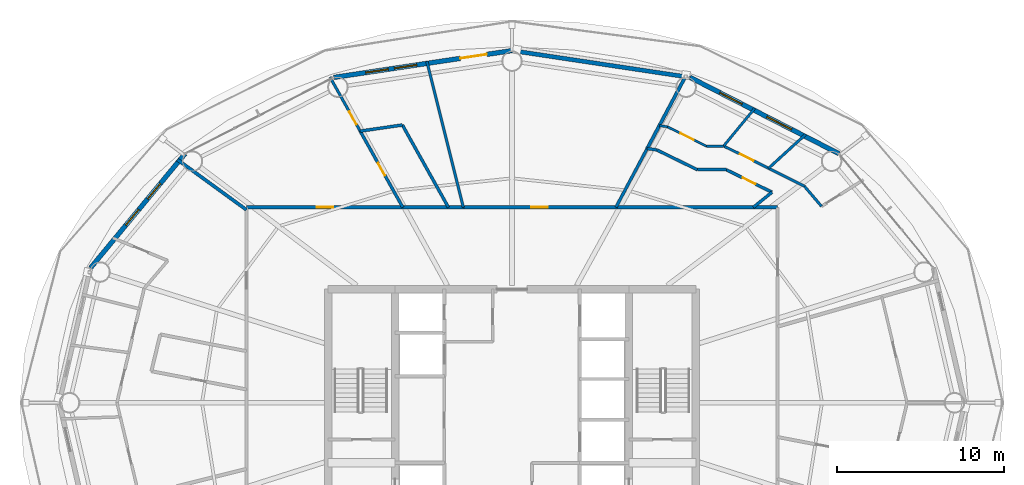
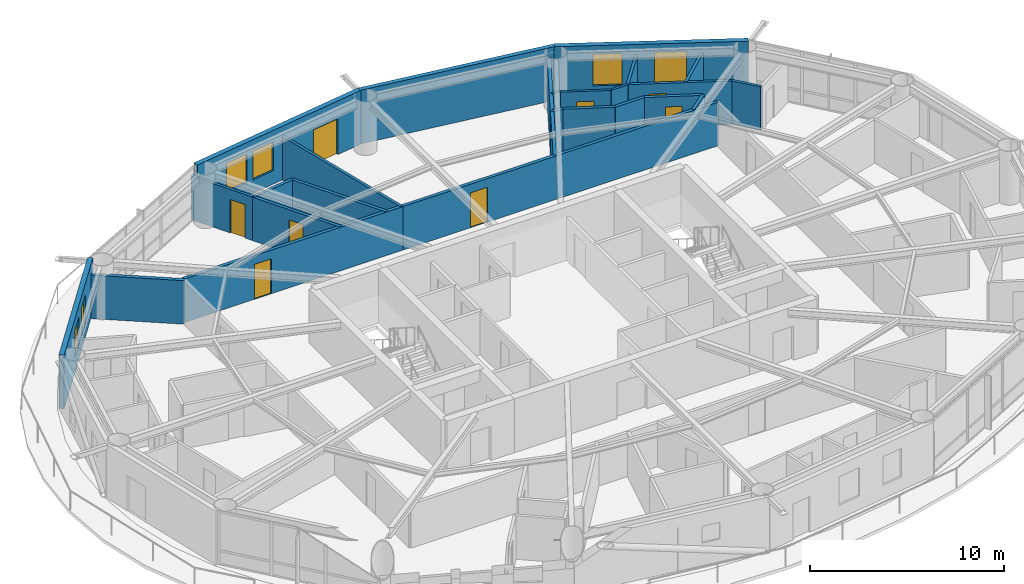
# One storey, part 23 of 27: 26 walls, 8 doors, 6 windows, 14 openings.
"""IFC4 building model written with IfcOpenShell, lengths in metres."""

from ifc_helpers import new_model, si_unit, direction, frame, frame_2d, origin, place, context, subcontext, project, spatial, rectangle, extrude, material, layer, layer_set, type_object, element, fill, save


model = new_model("IFC4")

# Units and contexts
model_context = context("Model", 3, precision=1e-05, world=origin(), true_north=direction((0.0, 1.0)))
body_context = subcontext(model_context, "Body", "Model", "MODEL_VIEW")
ifc_project = project(units=[si_unit("LENGTHUNIT", "METRE"), si_unit("AREAUNIT", "SQUARE_METRE"), si_unit("VOLUMEUNIT", "CUBIC_METRE"), si_unit("PLANEANGLEUNIT", "RADIAN"), si_unit("MASSUNIT", "GRAM", prefix="KILO")], contexts=[model_context])

# Site, building, storey
site_placement = place(None, origin())
site = spatial("IfcSite", under=ifc_project, at=site_placement, CompositionType="ELEMENT")
building_placement = place(site_placement, origin())
building = spatial("IfcBuilding", under=site, at=building_placement, Name="Sarneth Arch Tower", CompositionType="ELEMENT")
storey_placement = place(building_placement, frame((0.0, 0.0, 186.60009765625)))
storey = spatial("IfcBuildingStorey", under=building, at=storey_placement, Name="L47", CompositionType="ELEMENT", Elevation=186.60009765625)

# Wall, opening, door
ifc_material_1 = material(Name="Double steel-stud corridor fire wall", Category="steel")
ifc_layer_1 = layer(ifc_material_1, 0.18994140625)
ifc_layer_set_1 = layer_set([ifc_layer_1], Name="Double steel-stud corridor fire wall")
wall_type_1 = type_object("IfcWallType", Name="WALL-CORR-190", PredefinedType="PARTITIONING", material=ifc_layer_set_1)
wall_1_placement = place(storey_placement, frame((32.10009765625, 53.699951171875, 0.0), z_axis=(0.0, 0.0, 1.0), x_axis=(1.0, 0.0, 0.0)))
wall_1 = element("IfcWall", 1, at=wall_1_placement, inside=storey, type_object=wall_type_1, Name="L47 Interior partition W-L47-TP-006", PredefinedType="PARTITIONING", context=body_context, shape_type="SweptSolid", body=[
    extrude(rectangle(XDim=13.015869140625, YDim=0.18994140625, at=frame_2d((6.5078125, 0.0))), origin(), (0.0, 0.0, 1.0), 2.739990234375),
])
opening_1_placement = place(wall_1_placement, frame((4.198974609375, 0.0, 0.0)))
opening_1 = element("IfcOpeningElement", 2, at=opening_1_placement, cuts=wall_1, Name="Opening FD-08", PredefinedType="OPENING", context=body_context, shape_type="SweptSolid", body=[
    extrude(rectangle(XDim=1.0, YDim=2.199951171875, at=frame_2d((0.5, 1.10009765625))), frame((0.0, 0.10498046875, 0.0), z_axis=(0.0, -1.0, 0.0), x_axis=(1.0, 0.0, 0.0)), (0.0, 0.0, 1.0), 0.2099609375),
])
ifc_material_2 = material(Name="Hardwood timber acoustic fire door", Category="wood")
door_type_1 = type_object("IfcDoorType", Name="DR-FD60-1000", OperationType="SINGLE_SWING_LEFT", PredefinedType="DOOR", material=ifc_material_2)
door_1_placement = place(opening_1_placement, origin())
door_1 = element("IfcDoor", 3, at=door_1_placement, inside=storey, type_object=door_type_1, Name="L47 Interior door DR-L47-U3-ENT", OperationType="SINGLE_SWING_LEFT", OverallHeight=2.199951171875, OverallWidth=1.0, PredefinedType="DOOR", context=body_context, shape_type="SweptSolid", body=[
    extrude(rectangle(XDim=1.0, YDim=2.199951171875, at=frame_2d((0.5, 1.10009765625))), frame((0.0, 0.02490234375, 0.0), z_axis=(0.0, -1.0, 0.0), x_axis=(1.0, 0.0, 0.0)), (0.0, 0.0, 1.0), 0.050048828125),
])
fill(opening_1, door_1)

wall_2_placement = place(storey_placement, frame((45.0498046875, 53.699951171875, 0.0), z_axis=(0.0, 0.0, 1.0), x_axis=(1.0, 0.0, 0.0)))
wall_2 = element("IfcWall", 4, at=wall_2_placement, inside=storey, type_object=wall_type_1, Name="L47 Interior partition W-L47-TP-004", PredefinedType="PARTITIONING", context=body_context, shape_type="SweptSolid", body=[
    extrude(rectangle(XDim=18.85009765625, YDim=0.18994140625, at=frame_2d((9.425048828125, 0.0))), origin(), (0.0, 0.0, 1.0), 2.739990234375),
])
opening_2_placement = place(wall_2_placement, frame((4.103515625, 0.0, 0.0)))
opening_2 = element("IfcOpeningElement", 5, at=opening_2_placement, cuts=wall_2, Name="Opening FD-08", PredefinedType="OPENING", context=body_context, shape_type="SweptSolid", body=[
    extrude(rectangle(XDim=1.0, YDim=2.199951171875, at=frame_2d((0.5, 1.10009765625))), frame((0.0, 0.10498046875, 0.0), z_axis=(0.0, -1.0, 0.0), x_axis=(1.0, 0.0, 0.0)), (0.0, 0.0, 1.0), 0.2099609375),
])
door_2_placement = place(opening_2_placement, origin())
door_2 = element("IfcDoor", 6, at=door_2_placement, inside=storey, type_object=door_type_1, Name="L47 Interior door DR-L47-RAMN-02", OperationType="SINGLE_SWING_RIGHT", OverallHeight=2.199951171875, OverallWidth=1.0, PredefinedType="DOOR", context=body_context, shape_type="SweptSolid", body=[
    extrude(rectangle(XDim=1.0, YDim=2.199951171875, at=frame_2d((0.5, 1.10009765625))), frame((0.0, 0.02490234375, 0.0), z_axis=(0.0, -1.0, 0.0), x_axis=(1.0, 0.0, 0.0)), (0.0, 0.0, 1.0), 0.050048828125),
])
fill(opening_2, door_2)

# Wall
ifc_material_3 = material(Name="Extruded terracotta rainscreen on Concrete C40/50 backing", Category="masonry")
ifc_layer_2 = layer(ifc_material_3, 0.25)
ifc_layer_set_2 = layer_set([ifc_layer_2], Name="Extruded terracotta rainscreen on Concrete C40/50 backing")
wall_type_2 = type_object("IfcWallType", Name="WALL-EXT-SPAND-250", PredefinedType="SOLIDWALL", material=ifc_layer_set_2)
wall_3_placement = place(storey_placement, frame((58.662841796875, 61.475341796875, 0.0), z_axis=(0.0, 0.0, 1.0), x_axis=(-0.988863993413, 0.148822049884, 0.0)))
element("IfcWall", 7, at=wall_3_placement, inside=storey, type_object=wall_type_2, Name="L47 Terracotta perimeter wall 04", PredefinedType="SOLIDWALL", context=body_context, shape_type="SweptSolid", body=[
    extrude(rectangle(XDim=10.782958984375, YDim=0.25, at=frame_2d((5.3916015625, 0.0))), origin(), (0.0, 0.0, 1.0), 3.3798828125),
])

# Wall, openings, windows
ifc_material_4 = material(Name="Extruded terracotta rainscreen on Concrete C40/50 backing", Category="masonry")
ifc_layer_3 = layer(ifc_material_4, 0.280029296875)
ifc_layer_set_3 = layer_set([ifc_layer_3], Name="Extruded terracotta rainscreen on Concrete C40/50 backing")
wall_type_3 = type_object("IfcWallType", Name="WALL-EXT-TERRA-280", PredefinedType="SOLIDWALL", material=ifc_layer_set_3)
wall_4_placement = place(storey_placement, frame((67.576171875, 56.90576171875, 0.0), z_axis=(0.0, 0.0, 1.0), x_axis=(-0.889872523182, 0.456209263919, 0.0)))
wall_4 = element("IfcWall", 8, at=wall_4_placement, inside=storey, type_object=wall_type_3, Name="L47 Terracotta perimeter wall 03", PredefinedType="SOLIDWALL", context=body_context, shape_type="SweptSolid", body=[
    extrude(rectangle(XDim=10.016357421875, YDim=0.280029296875, at=frame_2d((5.00830078125, 0.0))), origin(), (0.0, 0.0, 1.0), 3.3798828125),
])
opening_3_placement = place(wall_4_placement, frame((3.19580078125, 0.0, 0.85009765625)))
opening_3 = element("IfcOpeningElement", 9, at=opening_3_placement, cuts=wall_4, Name="Opening W-05", PredefinedType="OPENING", context=body_context, shape_type="SweptSolid", body=[
    extrude(rectangle(XDim=1.64990234375, YDim=2.0, at=frame_2d((0.824951171875, 1.0))), frame((0.0, 0.14990234375, 0.0), z_axis=(0.0, -1.0, 0.0), x_axis=(1.0, 0.0, 0.0)), (0.0, 0.0, 1.0), 0.300048828125),
])
opening_4_placement = place(wall_4_placement, frame((6.523681640625, 0.0, 0.85009765625)))
opening_4 = element("IfcOpeningElement", 10, at=opening_4_placement, cuts=wall_4, Name="Opening W-06", PredefinedType="OPENING", context=body_context, shape_type="SweptSolid", body=[
    extrude(rectangle(XDim=1.5, YDim=2.0, at=frame_2d((0.75, 1.0))), frame((0.0, 0.14990234375, 0.0), z_axis=(0.0, -1.0, 0.0), x_axis=(1.0, 0.0, 0.0)), (0.0, 0.0, 1.0), 0.300048828125),
])
ifc_material_5 = material(Name="Thermally broken Aluminium 6063-T6 and low-e laminated IGU", Category="aluminium")
window_type_1 = type_object("IfcWindowType", Name="WIN-TWR-1500x2000", PartitioningType="SINGLE_PANEL", PredefinedType="WINDOW", material=ifc_material_5)
window_1_placement = place(opening_4_placement, origin())
window_1 = element("IfcWindow", 11, at=window_1_placement, inside=storey, type_object=window_type_1, Name="L47 Exterior window 03B", OverallHeight=2.0, OverallWidth=1.5, PartitioningType="SINGLE_PANEL", PredefinedType="WINDOW", context=body_context, shape_type="SweptSolid", body=[
    extrude(rectangle(XDim=1.5, YDim=2.0, at=frame_2d((0.75, 1.0))), frame((0.0, 0.030029296875, 0.0), z_axis=(0.0, -1.0, 0.0), x_axis=(1.0, 0.0, 0.0)), (0.0, 0.0, 1.0), 0.06005859375),
])
fill(opening_4, window_1)
ifc_material_6 = material(Name="Thermally broken Aluminium 6063-T6 and low-e laminated IGU", Category="aluminium")
window_type_2 = type_object("IfcWindowType", Name="WIN-TWR-1650x2000", PartitioningType="DOUBLE_PANEL_VERTICAL", PredefinedType="WINDOW", material=ifc_material_6)
window_2_placement = place(opening_3_placement, origin())
window_2 = element("IfcWindow", 12, at=window_2_placement, inside=storey, type_object=window_type_2, Name="L47 Exterior window 03A", OverallHeight=2.0, OverallWidth=1.64990234375, PartitioningType="SINGLE_PANEL", PredefinedType="WINDOW", context=body_context, shape_type="SweptSolid", body=[
    extrude(rectangle(XDim=1.64990234375, YDim=2.0, at=frame_2d((0.824951171875, 1.0))), frame((0.0, 0.030029296875, 0.0), z_axis=(0.0, -1.0, 0.0), x_axis=(1.0, 0.0, 0.0)), (0.0, 0.0, 1.0), 0.06005859375),
])
fill(opening_3, window_2)

# Wall, openings, door, windows
wall_5_placement = place(storey_placement, frame((48.0, 63.080078125, 0.0), z_axis=(0.0, 0.0, 1.0), x_axis=(-0.988863993413, -0.148822049884, 0.0)))
wall_5 = element("IfcWall", 13, at=wall_5_placement, inside=storey, type_object=wall_type_3, Name="L47 Terracotta perimeter wall 05", PredefinedType="SOLIDWALL", context=body_context, shape_type="SweptSolid", body=[
    extrude(rectangle(XDim=10.782958984375, YDim=0.280029296875, at=frame_2d((5.3916015625, 0.0))), origin(), (0.0, 0.0, 1.0), 3.3798828125),
])
opening_5_placement = place(wall_5_placement, frame((1.523681640625, 0.0, 0.0)))
opening_5 = element("IfcOpeningElement", 14, at=opening_5_placement, cuts=wall_5, Name="Opening BD-1", PredefinedType="OPENING", context=body_context, shape_type="SweptSolid", body=[
    extrude(rectangle(XDim=1.60009765625, YDim=2.25, at=frame_2d((0.800048828125, 1.125))), frame((0.0, 0.14990234375, 0.0), z_axis=(0.0, -1.0, 0.0), x_axis=(1.0, 0.0, 0.0)), (0.0, 0.0, 1.0), 0.300048828125),
])
opening_6_placement = place(wall_5_placement, frame((5.7666015625, 0.0, 0.85009765625)))
opening_6 = element("IfcOpeningElement", 15, at=opening_6_placement, cuts=wall_5, Name="Opening W-08", PredefinedType="OPENING", context=body_context, shape_type="SweptSolid", body=[
    extrude(rectangle(XDim=1.35009765625, YDim=1.800048828125, at=frame_2d((0.675048828125, 0.89990234375))), frame((0.0, 0.14990234375, 0.0), z_axis=(0.0, -1.0, 0.0), x_axis=(1.0, 0.0, 0.0)), (0.0, 0.0, 1.0), 0.300048828125),
])
opening_7_placement = place(wall_5_placement, frame((7.498779296875, 0.0, 0.85009765625)))
opening_7 = element("IfcOpeningElement", 16, at=opening_7_placement, cuts=wall_5, Name="Opening W-08", PredefinedType="OPENING", context=body_context, shape_type="SweptSolid", body=[
    extrude(rectangle(XDim=1.35009765625, YDim=1.800048828125, at=frame_2d((0.675048828125, 0.89990234375))), frame((0.0, 0.14990234375, 0.0), z_axis=(0.0, -1.0, 0.0), x_axis=(1.0, 0.0, 0.0)), (0.0, 0.0, 1.0), 0.300048828125),
])
ifc_material_7 = material(Name="Thermally broken Aluminium 6063-T6 and laminated safety glass", Category="aluminium")
door_type_2 = type_object("IfcDoorType", Name="DR-BALC-GLZ-1600", OperationType="DOUBLE_DOOR_SINGLE_SWING", PredefinedType="DOOR", material=ifc_material_7)
door_3_placement = place(opening_5_placement, origin())
door_3 = element("IfcDoor", 17, at=door_3_placement, inside=storey, type_object=door_type_2, Name="L47 Balcony glazed door 05", OperationType="DOUBLE_DOOR_SINGLE_SWING", OverallHeight=2.25, OverallWidth=1.60009765625, PredefinedType="DOOR", context=body_context, shape_type="SweptSolid", body=[
    extrude(rectangle(XDim=1.60009765625, YDim=2.25, at=frame_2d((0.800048828125, 1.125))), frame((0.0, 0.02490234375, 0.0), z_axis=(0.0, -1.0, 0.0), x_axis=(1.0, 0.0, 0.0)), (0.0, 0.0, 1.0), 0.050048828125),
])
fill(opening_5, door_3)
ifc_material_8 = material(Name="Thermally broken Aluminium 6063-T6 and low-e laminated IGU", Category="aluminium")
window_type_3 = type_object("IfcWindowType", Name="WIN-TWR-1350x1800", PartitioningType="SINGLE_PANEL", PredefinedType="WINDOW", material=ifc_material_8)
window_3_placement = place(opening_6_placement, origin())
window_3 = element("IfcWindow", 18, at=window_3_placement, inside=storey, type_object=window_type_3, Name="L47 Exterior window 05A", OverallHeight=1.800048828125, OverallWidth=1.35009765625, PartitioningType="SINGLE_PANEL", PredefinedType="WINDOW", context=body_context, shape_type="SweptSolid", body=[
    extrude(rectangle(XDim=1.35009765625, YDim=1.800048828125, at=frame_2d((0.675048828125, 0.89990234375))), frame((0.0, 0.030029296875, 0.0), z_axis=(0.0, -1.0, 0.0), x_axis=(1.0, 0.0, 0.0)), (0.0, 0.0, 1.0), 0.06005859375),
])
fill(opening_6, window_3)
window_4_placement = place(opening_7_placement, origin())
window_4 = element("IfcWindow", 19, at=window_4_placement, inside=storey, type_object=window_type_3, Name="L47 Exterior window 05B", OverallHeight=1.800048828125, OverallWidth=1.35009765625, PartitioningType="SINGLE_PANEL", PredefinedType="WINDOW", context=body_context, shape_type="SweptSolid", body=[
    extrude(rectangle(XDim=1.35009765625, YDim=1.800048828125, at=frame_2d((0.675048828125, 0.89990234375))), frame((0.0, 0.030029296875, 0.0), z_axis=(0.0, -1.0, 0.0), x_axis=(1.0, 0.0, 0.0)), (0.0, 0.0, 1.0), 0.06005859375),
])
fill(opening_7, window_4)

# Wall, openings, windows
wall_6_placement = place(storey_placement, frame((28.423828125, 56.90576171875, 0.0), z_axis=(0.0, 0.0, 1.0), x_axis=(-0.637333477683, -0.770588111915, 0.0)))
wall_6 = element("IfcWall", 20, at=wall_6_placement, inside=storey, type_object=wall_type_3, Name="L47 Terracotta perimeter wall 07", PredefinedType="SOLIDWALL", context=body_context, shape_type="SweptSolid", body=[
    extrude(rectangle(XDim=8.874755859375, YDim=0.280029296875, at=frame_2d((4.4375, 0.0))), origin(), (0.0, 0.0, 1.0), 3.3798828125),
])
opening_8_placement = place(wall_6_placement, frame((2.302490234375, 0.0, 0.85009765625)))
opening_8 = element("IfcOpeningElement", 21, at=opening_8_placement, cuts=wall_6, Name="Opening W-09", PredefinedType="OPENING", context=body_context, shape_type="SweptSolid", body=[
    extrude(rectangle(XDim=1.199951171875, YDim=1.800048828125, at=frame_2d((0.60009765625, 0.89990234375))), frame((0.0, 0.14990234375, 0.0), z_axis=(0.0, -1.0, 0.0), x_axis=(1.0, 0.0, 0.0)), (0.0, 0.0, 1.0), 0.300048828125),
])
opening_9_placement = place(wall_6_placement, frame((4.343505859375, 0.0, 0.85009765625)))
opening_9 = element("IfcOpeningElement", 22, at=opening_9_placement, cuts=wall_6, Name="Opening W-09", PredefinedType="OPENING", context=body_context, shape_type="SweptSolid", body=[
    extrude(rectangle(XDim=1.199951171875, YDim=1.800048828125, at=frame_2d((0.60009765625, 0.89990234375))), frame((0.0, 0.14990234375, 0.0), z_axis=(0.0, -1.0, 0.0), x_axis=(1.0, 0.0, 0.0)), (0.0, 0.0, 1.0), 0.300048828125),
])
ifc_material_9 = material(Name="Thermally broken Aluminium 6063-T6 and low-e laminated IGU", Category="aluminium")
window_type_4 = type_object("IfcWindowType", Name="WIN-TWR-1200x1800", PartitioningType="SINGLE_PANEL", PredefinedType="WINDOW", material=ifc_material_9)
window_5_placement = place(opening_8_placement, origin())
window_5 = element("IfcWindow", 23, at=window_5_placement, inside=storey, type_object=window_type_4, Name="L47 Exterior window 07A", OverallHeight=1.800048828125, OverallWidth=1.199951171875, PartitioningType="SINGLE_PANEL", PredefinedType="WINDOW", context=body_context, shape_type="SweptSolid", body=[
    extrude(rectangle(XDim=1.199951171875, YDim=1.800048828125, at=frame_2d((0.60009765625, 0.89990234375))), frame((0.0, 0.030029296875, 0.0), z_axis=(0.0, -1.0, 0.0), x_axis=(1.0, 0.0, 0.0)), (0.0, 0.0, 1.0), 0.06005859375),
])
fill(opening_8, window_5)
window_6_placement = place(opening_9_placement, origin())
window_6 = element("IfcWindow", 24, at=window_6_placement, inside=storey, type_object=window_type_4, Name="L47 Exterior window 07B", OverallHeight=1.800048828125, OverallWidth=1.199951171875, PartitioningType="SINGLE_PANEL", PredefinedType="WINDOW", context=body_context, shape_type="SweptSolid", body=[
    extrude(rectangle(XDim=1.199951171875, YDim=1.800048828125, at=frame_2d((0.60009765625, 0.89990234375))), frame((0.0, 0.030029296875, 0.0), z_axis=(0.0, -1.0, 0.0), x_axis=(1.0, 0.0, 0.0)), (0.0, 0.0, 1.0), 0.06005859375),
])
fill(opening_9, window_6)

# Wall, opening, door
ifc_material_10 = material(Name="Apartment internal stud partition", Category="gypsum")
ifc_layer_4 = layer(ifc_material_10, 0.139892578125)
ifc_layer_set_4 = layer_set([ifc_layer_4], Name="Apartment internal stud partition")
wall_type_4 = type_object("IfcWallType", Name="WALL-PART-140", PredefinedType="PARTITIONING", material=ifc_layer_set_4)
wall_7_placement = place(storey_placement, frame((59.651123046875, 57.35009765625, 0.0), z_axis=(0.0, 0.0, 1.0), x_axis=(-0.895041110332, 0.445983644112, 0.0)))
wall_7 = element("IfcWall", 25, at=wall_7_placement, inside=storey, type_object=wall_type_4, Name="L47 Interior partition W-L47-TP-032", PredefinedType="PARTITIONING", context=body_context, shape_type="SweptSolid", body=[
    extrude(rectangle(XDim=2.62109375, YDim=0.139892578125, at=frame_2d((1.310546875, 0.0))), origin(), (0.0, 0.0, 1.0), 2.739990234375),
])
opening_10_placement = place(wall_7_placement, frame((0.860595703125, 0.0, 0.0)))
opening_10 = element("IfcOpeningElement", 26, at=opening_10_placement, cuts=wall_7, Name="Opening ID-01", PredefinedType="OPENING", context=body_context, shape_type="SweptSolid", body=[
    extrude(rectangle(XDim=0.89990234375, YDim=2.10009765625, at=frame_2d((0.449951171875, 1.050048828125))), frame((0.0, 0.079833984375, 0.0), z_axis=(0.0, -1.0, 0.0), x_axis=(1.0, 0.0, 0.0)), (0.0, 0.0, 1.0), 0.159912109375),
])
ifc_material_11 = material(Name="Engineered hardwood flush door", Category="wood")
door_type_3 = type_object("IfcDoorType", Name="DR-INT-900", OperationType="SINGLE_SWING_LEFT", PredefinedType="DOOR", material=ifc_material_11)
door_4_placement = place(opening_10_placement, origin())
door_4 = element("IfcDoor", 27, at=door_4_placement, inside=storey, type_object=door_type_3, Name="L47 Interior door DR-L47-U1-BED2", OperationType="SINGLE_SWING_LEFT", OverallHeight=2.10009765625, OverallWidth=0.89990234375, PredefinedType="DOOR", context=body_context, shape_type="SweptSolid", body=[
    extrude(rectangle(XDim=0.89990234375, YDim=2.10009765625, at=frame_2d((0.449951171875, 1.050048828125))), frame((0.0, 0.02490234375, 0.0), z_axis=(0.0, -1.0, 0.0), x_axis=(1.0, 0.0, 0.0)), (0.0, 0.0, 1.0), 0.050048828125),
])
fill(opening_10, door_4)

# Walls
wall_8_placement = place(storey_placement, frame((60.653564453125, 57.35009765625, 0.0), z_axis=(0.0, 0.0, 1.0), x_axis=(-1.0, 0.0, 0.0)))
element("IfcWall", 28, at=wall_8_placement, inside=storey, type_object=wall_type_4, Name="L47 Interior partition W-L47-TP-031", PredefinedType="PARTITIONING", context=body_context, shape_type="SweptSolid", body=[
    extrude(rectangle(XDim=1.00244140625, YDim=0.139892578125, at=frame_2d((0.501220703125, 0.0))), origin(), (0.0, 0.0, 1.0), 2.739990234375),
])
wall_9_placement = place(storey_placement, frame((57.30517578125, 58.51904296875, 0.0), z_axis=(0.0, 0.0, 1.0), x_axis=(-0.989485449351, 0.144632449754, 0.0)))
element("IfcWall", 29, at=wall_9_placement, inside=storey, type_object=wall_type_4, Name="L47 Interior partition W-L47-TP-033", PredefinedType="PARTITIONING", context=body_context, shape_type="SweptSolid", body=[
    extrude(rectangle(XDim=0.489501953125, YDim=0.139892578125, at=frame_2d((0.24462890625, 0.0))), origin(), (0.0, 0.0, 1.0), 2.739990234375),
])
ifc_material_12 = material(Name="Acoustic gypsum stud partition", Category="gypsum")
ifc_layer_5 = layer(ifc_material_12, 0.14990234375)
ifc_layer_set_5 = layer_set([ifc_layer_5], Name="Acoustic gypsum stud partition")
wall_type_5 = type_object("IfcWallType", Name="WALL-PART-150", PredefinedType="PARTITIONING", material=ifc_layer_set_5)
wall_10_placement = place(storey_placement, frame((62.52880859375, 59.625, 0.0), z_axis=(0.0, 0.0, 1.0), x_axis=(-0.63607001361, -0.771631348369, 0.0)))
element("IfcWall", 30, at=wall_10_placement, inside=storey, type_object=wall_type_5, Name="L47 Interior partition W-L47-TP-039", PredefinedType="PARTITIONING", context=body_context, shape_type="SweptSolid", body=[
    extrude(rectangle(XDim=2.9482421875, YDim=0.14990234375, at=frame_2d((1.47412109375, 0.0))), origin(), (0.0, 0.0, 1.0), 2.739990234375),
])
ifc_material_13 = material(Name="Kitchen wet service chase wall", Category="gypsum")
ifc_layer_6 = layer(ifc_material_13, 0.159912109375)
ifc_layer_set_6 = layer_set([ifc_layer_6], Name="Kitchen wet service chase wall")
wall_type_6 = type_object("IfcWallType", Name="WALL-PLUMB-160", PredefinedType="PLUMBINGWALL", material=ifc_layer_set_6)
wall_11_placement = place(storey_placement, frame((45.0830078125, 53.699951171875, 0.0), z_axis=(0.0, 0.0, 1.0), x_axis=(-0.241929318505, 0.970293875508, 0.0)))
element("IfcWall", 31, at=wall_11_placement, inside=storey, type_object=wall_type_6, Name="L47 Interior partition W-L47-TP-041", PredefinedType="PLUMBINGWALL", context=body_context, shape_type="SweptSolid", body=[
    extrude(rectangle(XDim=9.00146484375, YDim=0.159912109375, at=frame_2d((4.500732421875, 0.0))), origin(), (0.0, 0.0, 1.0), 2.739990234375),
])

# Wall, opening, door
wall_12_placement = place(storey_placement, frame((38.912841796875, 58.259521484375, 0.0), z_axis=(0.0, 0.0, 1.0), x_axis=(-0.487830223896, 0.87293852742, 0.0)))
wall_12 = element("IfcWall", 32, at=wall_12_placement, inside=storey, type_object=wall_type_6, Name="L47 Interior partition W-L47-TP-043", PredefinedType="PLUMBINGWALL", context=body_context, shape_type="SweptSolid", body=[
    extrude(rectangle(XDim=3.702880859375, YDim=0.159912109375, at=frame_2d((1.8515625, 0.0))), origin(), (0.0, 0.0, 1.0), 2.739990234375),
])
opening_11_placement = place(wall_12_placement, frame((0.44140625, 0.0, 0.0)))
opening_11 = element("IfcOpeningElement", 33, at=opening_11_placement, cuts=wall_12, Name="Opening ID-01", PredefinedType="OPENING", context=body_context, shape_type="SweptSolid", body=[
    extrude(rectangle(XDim=0.89990234375, YDim=2.10009765625, at=frame_2d((0.449951171875, 1.050048828125))), frame((0.0, 0.08984375, 0.0), z_axis=(0.0, -1.0, 0.0), x_axis=(1.0, 0.0, 0.0)), (0.0, 0.0, 1.0), 0.179931640625),
])
door_5_placement = place(opening_11_placement, origin())
door_5 = element("IfcDoor", 34, at=door_5_placement, inside=storey, type_object=door_type_3, Name="L47 Interior door DR-L47-U3-KIT", OperationType="SINGLE_SWING_LEFT", OverallHeight=2.10009765625, OverallWidth=0.89990234375, PredefinedType="DOOR", context=body_context, shape_type="SweptSolid", body=[
    extrude(rectangle(XDim=0.89990234375, YDim=2.10009765625, at=frame_2d((0.449951171875, 1.050048828125))), frame((0.0, 0.02490234375, 0.0), z_axis=(0.0, -1.0, 0.0), x_axis=(1.0, 0.0, 0.0)), (0.0, 0.0, 1.0), 0.050048828125),
])
fill(opening_11, door_5)

# Wall
wall_13_placement = place(storey_placement, frame((63.3544921875, 56.033203125, 0.0), z_axis=(0.0, 0.0, 1.0), x_axis=(0.738168713693, 0.674616150211, 0.0)))
element("IfcWall", 35, at=wall_13_placement, inside=storey, type_object=wall_type_6, Name="L47 Interior partition W-L47-TP-037", PredefinedType="PLUMBINGWALL", context=body_context, shape_type="SweptSolid", body=[
    extrude(rectangle(XDim=3.004150390625, YDim=0.159912109375, at=frame_2d((1.501953125, 0.0))), origin(), (0.0, 0.0, 1.0), 2.739990234375),
])

# Wall, opening, door
wall_14_placement = place(storey_placement, frame((60.71337890625, 57.35009765625, 0.0), z_axis=(0.0, 0.0, 1.0), x_axis=(0.894937323042, -0.44619187333, 0.0)))
wall_14 = element("IfcWall", 36, at=wall_14_placement, inside=storey, type_object=wall_type_6, Name="L47 Interior partition W-L47-TP-030", PredefinedType="PLUMBINGWALL", context=body_context, shape_type="SweptSolid", body=[
    extrude(rectangle(XDim=5.35400390625, YDim=0.159912109375, at=frame_2d((2.677001953125, 0.0))), origin(), (0.0, 0.0, 1.0), 2.739990234375),
])
opening_12_placement = place(wall_14_placement, frame((1.042724609375, 0.0, 0.0)))
opening_12 = element("IfcOpeningElement", 37, at=opening_12_placement, cuts=wall_14, Name="Opening ID-01", PredefinedType="OPENING", context=body_context, shape_type="SweptSolid", body=[
    extrude(rectangle(XDim=0.89990234375, YDim=2.10009765625, at=frame_2d((0.449951171875, 1.050048828125))), frame((0.0, 0.08984375, 0.0), z_axis=(0.0, -1.0, 0.0), x_axis=(1.0, 0.0, 0.0)), (0.0, 0.0, 1.0), 0.179931640625),
])
door_6_placement = place(opening_12_placement, origin())
door_6 = element("IfcDoor", 38, at=door_6_placement, inside=storey, type_object=door_type_3, Name="L47 Interior door DR-L47-U1-BED1", OperationType="SINGLE_SWING_RIGHT", OverallHeight=2.10009765625, OverallWidth=0.89990234375, PredefinedType="DOOR", context=body_context, shape_type="SweptSolid", body=[
    extrude(rectangle(XDim=0.89990234375, YDim=2.10009765625, at=frame_2d((0.449951171875, 1.050048828125))), frame((0.0, 0.02490234375, 0.0), z_axis=(0.0, -1.0, 0.0), x_axis=(1.0, 0.0, 0.0)), (0.0, 0.0, 1.0), 0.050048828125),
])
fill(opening_12, door_6)

# Walls
wall_15_placement = place(storey_placement, frame((66.529541015625, 53.75634765625, 0.0), z_axis=(0.0, 0.0, 1.0), x_axis=(-0.647850029113, 0.76176790414, 0.0)))
element("IfcWall", 39, at=wall_15_placement, inside=storey, type_object=wall_type_6, Name="L47 Interior partition W-L47-TP-023", PredefinedType="PLUMBINGWALL", context=body_context, shape_type="SweptSolid", body=[
    extrude(rectangle(XDim=1.58154296875, YDim=0.159912109375, at=frame_2d((0.790771484375, 0.0))), origin(), (0.0, 0.0, 1.0), 2.739990234375),
])
ifc_material_14 = material(Name="Moisture-resistant plumbing chase wall", Category="gypsum")
ifc_layer_7 = layer(ifc_material_14, 0.179931640625)
ifc_layer_set_7 = layer_set([ifc_layer_7], Name="Moisture-resistant plumbing chase wall")
wall_type_7 = type_object("IfcWallType", Name="WALL-PLUMB-180", PredefinedType="PLUMBINGWALL", material=ifc_layer_set_7)
wall_16_placement = place(storey_placement, frame((41.438720703125, 58.626708984375, 0.0), z_axis=(0.0, 0.0, 1.0), x_axis=(0.487819418615, -0.872944565721, 0.0)))
element("IfcWall", 40, at=wall_16_placement, inside=storey, type_object=wall_type_7, Name="L47 Interior partition W-L47-TP-046", PredefinedType="PLUMBINGWALL", context=body_context, shape_type="SweptSolid", body=[
    extrude(rectangle(XDim=5.643798828125, YDim=0.179931640625, at=frame_2d((2.82177734375, 0.0))), origin(), (0.0, 0.0, 1.0), 2.739990234375),
])

# Wall, opening, door
wall_17_placement = place(storey_placement, frame((41.461181640625, 53.699951171875, 0.0), z_axis=(0.0, 0.0, 1.0), x_axis=(-0.487871640049, 0.872915381257, 0.0)))
wall_17 = element("IfcWall", 41, at=wall_17_placement, inside=storey, type_object=wall_type_7, Name="L47 Interior partition W-L47-TP-042", PredefinedType="PLUMBINGWALL", context=body_context, shape_type="SweptSolid", body=[
    extrude(rectangle(XDim=5.223388671875, YDim=0.179931640625, at=frame_2d((2.61181640625, 0.0))), origin(), (0.0, 0.0, 1.0), 2.739990234375),
])
opening_13_placement = place(wall_17_placement, frame((2.186767578125, 0.0, 0.0)))
opening_13 = element("IfcOpeningElement", 42, at=opening_13_placement, cuts=wall_17, Name="Opening ID-02", PredefinedType="OPENING", context=body_context, shape_type="SweptSolid", body=[
    extrude(rectangle(XDim=0.85009765625, YDim=2.10009765625, at=frame_2d((0.425048828125, 1.050048828125))), frame((0.0, 0.099853515625, 0.0), z_axis=(0.0, -1.0, 0.0), x_axis=(1.0, 0.0, 0.0)), (0.0, 0.0, 1.0), 0.199951171875),
])
ifc_material_15 = material(Name="Moisture-resistant bathroom timber door", Category="wood")
door_type_4 = type_object("IfcDoorType", Name="DR-INT-850", OperationType="SINGLE_SWING_RIGHT", PredefinedType="DOOR", material=ifc_material_15)
door_7_placement = place(opening_13_placement, origin())
door_7 = element("IfcDoor", 43, at=door_7_placement, inside=storey, type_object=door_type_4, Name="L47 Interior door DR-L47-U3-BATH", OperationType="SINGLE_SWING_RIGHT", OverallHeight=2.10009765625, OverallWidth=0.85009765625, PredefinedType="DOOR", context=body_context, shape_type="SweptSolid", body=[
    extrude(rectangle(XDim=0.85009765625, YDim=2.10009765625, at=frame_2d((0.425048828125, 1.050048828125))), frame((0.0, 0.02490234375, 0.0), z_axis=(0.0, -1.0, 0.0), x_axis=(1.0, 0.0, 0.0)), (0.0, 0.0, 1.0), 0.050048828125),
])
fill(opening_13, door_7)

# Wall
wall_18_placement = place(storey_placement, frame((54.220947265625, 53.699951171875, 0.0), z_axis=(0.0, 0.0, 1.0), x_axis=(0.469480828888, 0.882942665922, 0.0)))
element("IfcWall", 44, at=wall_18_placement, inside=storey, type_object=wall_type_7, Name="L47 Interior partition W-L47-TP-038", PredefinedType="PLUMBINGWALL", context=body_context, shape_type="SweptSolid", body=[
    extrude(rectangle(XDim=3.9833984375, YDim=0.179931640625, at=frame_2d((1.99169921875, 0.0))), origin(), (0.0, 0.0, 1.0), 2.739990234375),
])

# Wall, opening, door
wall_19_placement = place(storey_placement, frame((60.826904296875, 55.949951171875, 0.0), z_axis=(0.0, 0.0, 1.0), x_axis=(0.897069141595, -0.441890207175, 0.0)))
wall_19 = element("IfcWall", 45, at=wall_19_placement, inside=storey, type_object=wall_type_7, Name="L47 Interior partition W-L47-TP-028", PredefinedType="PLUMBINGWALL", context=body_context, shape_type="SweptSolid", body=[
    extrude(rectangle(XDim=3.0498046875, YDim=0.179931640625, at=frame_2d((1.52490234375, 0.0))), origin(), (0.0, 0.0, 1.0), 2.739990234375),
])
opening_14_placement = place(wall_19_placement, frame((1.099853515625, 0.0, 0.0)))
opening_14 = element("IfcOpeningElement", 46, at=opening_14_placement, cuts=wall_19, Name="Opening ID-02", PredefinedType="OPENING", context=body_context, shape_type="SweptSolid", body=[
    extrude(rectangle(XDim=0.85009765625, YDim=2.10009765625, at=frame_2d((0.425048828125, 1.050048828125))), frame((0.0, 0.099853515625, 0.0), z_axis=(0.0, -1.0, 0.0), x_axis=(1.0, 0.0, 0.0)), (0.0, 0.0, 1.0), 0.199951171875),
])
door_8_placement = place(opening_14_placement, origin())
door_8 = element("IfcDoor", 47, at=door_8_placement, inside=storey, type_object=door_type_4, Name="L47 Interior door DR-L47-U1-BATH", OperationType="SINGLE_SWING_LEFT", OverallHeight=2.10009765625, OverallWidth=0.85009765625, PredefinedType="DOOR", context=body_context, shape_type="SweptSolid", body=[
    extrude(rectangle(XDim=0.85009765625, YDim=2.10009765625, at=frame_2d((0.425048828125, 1.050048828125))), frame((0.0, 0.02490234375, 0.0), z_axis=(0.0, -1.0, 0.0), x_axis=(1.0, 0.0, 0.0)), (0.0, 0.0, 1.0), 0.050048828125),
])
fill(opening_14, door_8)

# Walls
wall_20_placement = place(storey_placement, frame((56.674072265625, 57.13330078125, 0.0), z_axis=(0.0, 0.0, 1.0), x_axis=(0.898063439596, -0.439865955105, 0.0)))
element("IfcWall", 48, at=wall_20_placement, inside=storey, type_object=wall_type_7, Name="L47 Interior partition W-L47-TP-026", PredefinedType="PLUMBINGWALL", context=body_context, shape_type="SweptSolid", body=[
    extrude(rectangle(XDim=2.690185546875, YDim=0.179931640625, at=frame_2d((1.34521484375, 0.0))), origin(), (0.0, 0.0, 1.0), 2.739990234375),
])
wall_21_placement = place(storey_placement, frame((38.912841796875, 58.259521484375, 0.0), z_axis=(0.0, 0.0, 1.0), x_axis=(0.989598326399, 0.143858098096, 0.0)))
element("IfcWall", 49, at=wall_21_placement, inside=storey, type_object=wall_type_7, Name="L47 Interior partition W-L47-TP-045", PredefinedType="PLUMBINGWALL", context=body_context, shape_type="SweptSolid", body=[
    extrude(rectangle(XDim=2.552490234375, YDim=0.179931640625, at=frame_2d((1.2763671875, 0.0))), origin(), (0.0, 0.0, 1.0), 2.739990234375),
])
wall_22_placement = place(storey_placement, frame((59.090087890625, 55.949951171875, 0.0), z_axis=(0.0, 0.0, 1.0), x_axis=(1.0, 0.0, 0.0)))
element("IfcWall", 50, at=wall_22_placement, inside=storey, type_object=wall_type_7, Name="L47 Interior partition W-L47-TP-027", PredefinedType="PLUMBINGWALL", context=body_context, shape_type="SweptSolid", body=[
    extrude(rectangle(XDim=1.73681640625, YDim=0.179931640625, at=frame_2d((0.868408203125, 0.0))), origin(), (0.0, 0.0, 1.0), 2.739990234375),
])
wall_23_placement = place(storey_placement, frame((63.562744140625, 54.602294921875, 0.0), z_axis=(0.0, 0.0, 1.0), x_axis=(-0.777201256293, -0.62925210148, 0.0)))
element("IfcWall", 51, at=wall_23_placement, inside=storey, type_object=wall_type_7, Name="L47 Interior partition W-L47-TP-029", PredefinedType="PLUMBINGWALL", context=body_context, shape_type="SweptSolid", body=[
    extrude(rectangle(XDim=1.43408203125, YDim=0.179931640625, at=frame_2d((0.717041015625, 0.0))), origin(), (0.0, 0.0, 1.0), 2.739990234375),
])
wall_24_placement = place(storey_placement, frame((56.091064453125, 57.217041015625, 0.0), z_axis=(0.0, 0.0, 1.0), x_axis=(0.989841434531, -0.142175716936, 0.0)))
element("IfcWall", 52, at=wall_24_placement, inside=storey, type_object=wall_type_7, Name="L47 Interior partition W-L47-TP-025", PredefinedType="PLUMBINGWALL", context=body_context, shape_type="SweptSolid", body=[
    extrude(rectangle(XDim=0.589111328125, YDim=0.179931640625, at=frame_2d((0.29443359375, 0.0))), origin(), (0.0, 0.0, 1.0), 2.739990234375),
])
ifc_material_16 = material(Name="Double steel-stud acoustic drywall", Category="steel")
ifc_layer_8 = layer(ifc_material_16, 0.199951171875)
ifc_layer_set_8 = layer_set([ifc_layer_8], Name="Double steel-stud acoustic drywall")
wall_type_8 = type_object("IfcWallType", Name="WALL-UNIT-200", PredefinedType="PARTITIONING", material=ifc_layer_set_8)
wall_25_placement = place(storey_placement, frame((32.10009765625, 53.552001953125, 0.0), z_axis=(0.0, 0.0, 1.0), x_axis=(-0.809023715391, 0.587776001496, 0.0)))
element("IfcWall", 53, at=wall_25_placement, inside=storey, type_object=wall_type_8, Name="L47 Interior partition W-L47-TP-044", PredefinedType="PARTITIONING", context=body_context, shape_type="SweptSolid", body=[
    extrude(rectangle(XDim=5.100341796875, YDim=0.199951171875, at=frame_2d((2.55029296875, 0.0))), origin(), (0.0, 0.0, 1.0), 2.739990234375),
])
wall_26_placement = place(storey_placement, frame((56.091064453125, 57.217041015625, 0.0), z_axis=(0.0, 0.0, 1.0), x_axis=(0.469455598571, 0.882956080997, 0.0)))
element("IfcWall", 54, at=wall_26_placement, inside=storey, type_object=wall_type_8, Name="L47 Interior partition W-L47-TP-040", PredefinedType="PARTITIONING", context=body_context, shape_type="SweptSolid", body=[
    extrude(rectangle(XDim=4.991455078125, YDim=0.199951171875, at=frame_2d((2.49560546875, 0.0))), origin(), (0.0, 0.0, 1.0), 2.739990234375),
])

save(model, "model.ifc")
